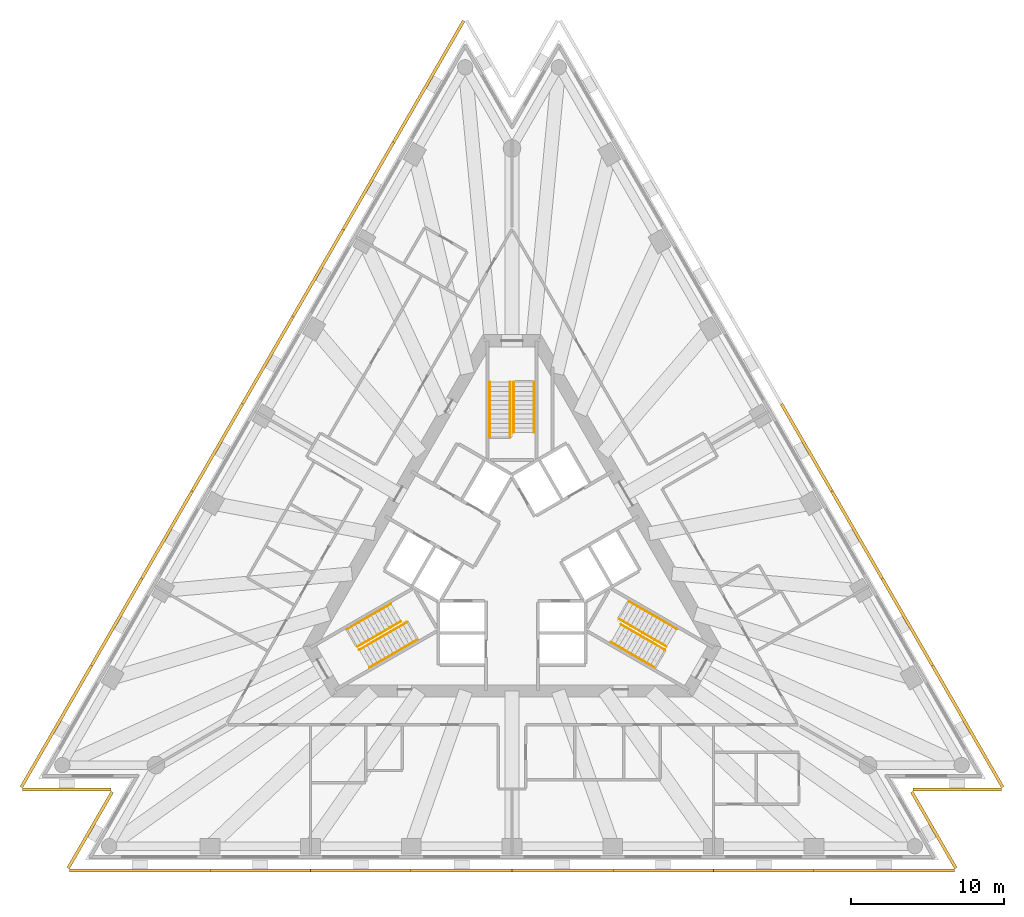
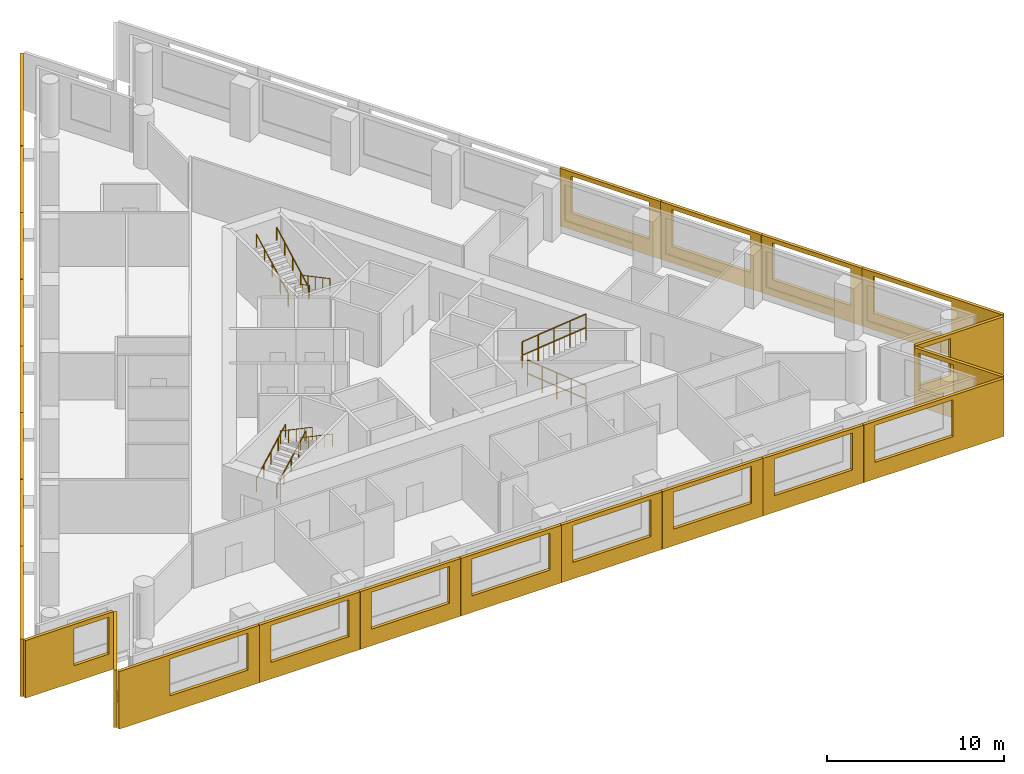
# One storey, part 9 of 10: 24 shading devices, 12 railings, 3 elements without a shape of their own.
"""IFC4 building model written with IfcOpenShell, lengths in metres."""

from ifc_helpers import new_model, si_unit, direction, frame, origin, origin_2d, place, context, subcontext, project, spatial, polyline, circle, outline, extrude, material, layer, layer_set, type_object, element, aggregate, save


model = new_model("IFC4")

# Units and contexts
model_context = context("Model", 3, precision=1e-05, world=origin(), true_north=direction((0.0, 1.0)))
body_context = subcontext(model_context, "Body", "Model", "MODEL_VIEW")
ifc_project = project(units=[si_unit("LENGTHUNIT", "METRE"), si_unit("AREAUNIT", "SQUARE_METRE"), si_unit("VOLUMEUNIT", "CUBIC_METRE"), si_unit("PLANEANGLEUNIT", "RADIAN"), si_unit("MASSUNIT", "GRAM", prefix="KILO")], contexts=[model_context])

# Site, building, storey
site_placement = place(None, origin())
site = spatial("IfcSite", under=ifc_project, at=site_placement, CompositionType="ELEMENT")
building_placement = place(site_placement, origin())
building = spatial("IfcBuilding", under=site, at=building_placement, Name="Triada Interchange Tower", CompositionType="ELEMENT")
storey_placement = place(building_placement, frame((0.0, 0.0, 152.300048828125)))
storey = spatial("IfcBuildingStorey", under=building, at=storey_placement, Name="L35", CompositionType="ELEMENT", Elevation=152.300048828125)

# Shading devices
ifc_material_1 = material(Name="Concrete C50/60 precast", Category="concrete")
ifc_layer_1 = layer(ifc_material_1, 0.02001953125, Name="Exposed aggregate face")
ifc_layer_2 = layer(ifc_material_1, 0.179931640625, Name="Precast concrete screen")
ifc_layer_set = layer_set([ifc_layer_1, ifc_layer_2], Name="Outer skin screen panel 3980")
shading_device_type = type_object("IfcShadingDeviceType", Name="Outer skin screen panel 3980", PredefinedType="SHUTTER", material=ifc_layer_set)
shading_device_1_placement = place(storey_placement, frame((-3.068115234375, 35.178955078125, -0.2900390625), z_axis=(0.0, 0.0, 1.0), x_axis=(-0.499993049377, -0.866029416691, 0.0)))
element("IfcShadingDevice", 1, at=shading_device_1_placement, inside=storey, type_object=shading_device_type, Name="Outer skin screen panel L35 01", PredefinedType="SHUTTER", context=body_context, shape_type="SweptSolid", body=[
    extrude(outline(polyline([(0.0, 0.0), (9.163818359375, 0.0), (9.163818359375, 3.97998046875), (0.0, 3.97998046875), (0.0, 0.0)]), holes=[polyline([(3.33056640625, 1.139892578125), (3.33056640625, 3.68994140625), (8.4306640625, 3.68994140625), (8.4306640625, 1.139892578125), (3.33056640625, 1.139892578125)])]), frame((0.0, 0.0, 0.0), z_axis=(0.0, -1.0, 0.0), x_axis=(1.0, 0.0, 0.0)), (0.0, 0.0, 1.0), 0.199951171875),
])
shading_device_2_placement = place(storey_placement, frame((-7.659912109375, 27.22607421875, -0.2900390625), z_axis=(0.0, 0.0, 1.0), x_axis=(-0.499977771575, -0.866038236991, 0.0)))
element("IfcShadingDevice", 2, at=shading_device_2_placement, inside=storey, type_object=shading_device_type, Name="Outer skin screen panel L35 02", PredefinedType="SHUTTER", context=body_context, shape_type="SweptSolid", body=[
    extrude(outline(polyline([(0.0, 0.0), (6.566650390625, 0.0), (6.566650390625, 3.97998046875), (0.0, 3.97998046875), (0.0, 0.0)]), holes=[polyline([(0.732421875, 1.139892578125), (0.732421875, 3.68994140625), (5.83251953125, 3.68994140625), (5.83251953125, 1.139892578125), (0.732421875, 1.139892578125)])]), frame((0.0, 0.0, 0.0), z_axis=(0.0, -1.0, 0.0), x_axis=(1.0, 0.0, 0.0)), (0.0, 0.0, 1.0), 0.199951171875),
])
shading_device_3_placement = place(storey_placement, frame((-10.952880859375, 21.52197265625, -0.2900390625), z_axis=(0.0, 0.0, 1.0), x_axis=(-0.499977771575, -0.866038236991, 0.0)))
element("IfcShadingDevice", 3, at=shading_device_3_placement, inside=storey, type_object=shading_device_type, Name="Outer skin screen panel L35 03", PredefinedType="SHUTTER", context=body_context, shape_type="SweptSolid", body=[
    extrude(outline(polyline([(0.0, 0.0), (6.566650390625, 0.0), (6.566650390625, 3.97998046875), (0.0, 3.97998046875), (0.0, 0.0)]), holes=[polyline([(0.7333984375, 1.139892578125), (0.7333984375, 3.68994140625), (5.83349609375, 3.68994140625), (5.83349609375, 1.139892578125), (0.7333984375, 1.139892578125)])]), frame((0.0, 0.0, 0.0), z_axis=(0.0, -1.0, 0.0), x_axis=(1.0, 0.0, 0.0)), (0.0, 0.0, 1.0), 0.199951171875),
])
for number, where, z_axis, x_axis, name in (
    (4, (-14.24609375, 15.818115234375, -0.2900390625), (0.0, 0.0, 1.0), (-0.500014285048, -0.866017156151, 0.0), "Outer skin screen panel L35 04"),
    (5, (-17.5390625, 10.114013671875, -0.2900390625), (0.0, 0.0, 1.0), (-0.500014285048, -0.866017156151, 0.0), "Outer skin screen panel L35 05"),
):
    element("IfcShadingDevice", number, at=place(storey_placement, frame(where, z_axis=z_axis, x_axis=x_axis)), inside=storey, type_object=shading_device_type, Name=name, PredefinedType="SHUTTER", context=body_context, shape_type="SweptSolid", body=[
        extrude(outline(polyline([(0.0, 0.0), (6.565673828125, 0.0), (6.565673828125, 3.97998046875), (0.0, 3.97998046875), (0.0, 0.0)]), holes=[polyline([(0.7333984375, 1.139892578125), (0.7333984375, 3.68994140625), (5.83349609375, 3.68994140625), (5.83349609375, 1.139892578125), (0.7333984375, 1.139892578125)])]), frame((0.0, 0.0, 0.0), z_axis=(0.0, -1.0, 0.0), x_axis=(1.0, 0.0, 0.0)), (0.0, 0.0, 1.0), 0.199951171875),
    ])
shading_device_4_placement = place(storey_placement, frame((-20.83203125, 4.410888671875, -0.2900390625), z_axis=(0.0, 0.0, 1.0), x_axis=(-0.499854425527, -0.866109434933, 0.0)))
element("IfcShadingDevice", 6, at=shading_device_4_placement, inside=storey, type_object=shading_device_type, Name="Outer skin screen panel L35 06", PredefinedType="SHUTTER", context=body_context, shape_type="SweptSolid", body=[
    extrude(outline(polyline([(0.0, 0.0), (6.56591796875, 0.0), (6.56591796875, 3.97998046875), (0.0, 3.97998046875), (0.0, 0.0)]), holes=[polyline([(0.7333984375, 1.139892578125), (0.7333984375, 3.68994140625), (5.83349609375, 3.68994140625), (5.83349609375, 1.139892578125), (0.7333984375, 1.139892578125)])]), frame((0.0, 0.0, 0.0), z_axis=(0.0, -1.0, 0.0), x_axis=(1.0, 0.0, 0.0)), (0.0, 0.0, 1.0), 0.199951171875),
])
shading_device_5_placement = place(storey_placement, frame((-24.1240234375, -1.29296875, -0.2900390625), z_axis=(0.0, 0.0, 1.0), x_axis=(-0.499949886023, -0.866054335169, 0.0)))
element("IfcShadingDevice", 7, at=shading_device_5_placement, inside=storey, type_object=shading_device_type, Name="Outer skin screen panel L35 07", PredefinedType="SHUTTER", context=body_context, shape_type="SweptSolid", body=[
    extrude(outline(polyline([(0.0, 0.0), (6.566650390625, 0.0), (6.566650390625, 3.97998046875), (0.0, 3.97998046875), (0.0, 0.0)]), holes=[polyline([(0.7333984375, 1.139892578125), (0.7333984375, 3.68994140625), (5.833251953125, 3.68994140625), (5.833251953125, 1.139892578125), (0.7333984375, 1.139892578125)])]), frame((0.0, 0.0, 0.0), z_axis=(0.0, -1.0, 0.0), x_axis=(1.0, 0.0, 0.0)), (0.0, 0.0, 1.0), 0.199951171875),
])
shading_device_6_placement = place(storey_placement, frame((-27.4169921875, -6.9970703125, -0.2900390625), z_axis=(0.0, 0.0, 1.0), x_axis=(-0.500013030768, -0.866017880336, 0.0)))
element("IfcShadingDevice", 8, at=shading_device_6_placement, inside=storey, type_object=shading_device_type, Name="Outer skin screen panel L35 08", PredefinedType="SHUTTER", context=body_context, shape_type="SweptSolid", body=[
    extrude(outline(polyline([(0.0, 0.0), (9.163818359375, 0.0), (9.163818359375, 3.97998046875), (0.0, 3.97998046875), (0.0, 0.0)]), holes=[polyline([(0.7333984375, 1.139892578125), (0.7333984375, 3.68994140625), (5.833251953125, 3.68994140625), (5.833251953125, 1.139892578125), (0.7333984375, 1.139892578125)])]), frame((0.0, 0.0, 0.0), z_axis=(0.0, -1.0, 0.0), x_axis=(1.0, 0.0, 0.0)), (0.0, 0.0, 1.0), 0.199951171875),
])
shading_device_7_placement = place(storey_placement, frame((-31.993896484375, -14.94189453125, -0.2900390625), z_axis=(0.0, 0.0, 1.0), x_axis=(1.0, 0.0, 0.0)))
element("IfcShadingDevice", 9, at=shading_device_7_placement, inside=storey, type_object=shading_device_type, Name="Outer skin screen panel L35 09", PredefinedType="SHUTTER", context=body_context, shape_type="SweptSolid", body=[
    extrude(outline(polyline([(0.0, 0.0), (5.7578125, 0.0), (5.7578125, 3.97998046875), (0.0, 3.97998046875), (0.0, 0.0)]), holes=[polyline([(3.175048828125, 1.139892578125), (3.175048828125, 3.68994140625), (5.4580078125, 3.68994140625), (5.4580078125, 1.139892578125), (3.175048828125, 1.139892578125)])]), frame((0.0, 0.0, 0.0), z_axis=(0.0, -1.0, 0.0), x_axis=(1.0, 0.0, 0.0)), (0.0, 0.0, 1.0), 0.199951171875),
])
shading_device_8_placement = place(storey_placement, frame((-26.05810546875, -15.2509765625, -0.2900390625), z_axis=(0.0, 0.0, 1.0), x_axis=(-0.500024661345, -0.866011165082, 0.0)))
element("IfcShadingDevice", 10, at=shading_device_8_placement, inside=storey, type_object=shading_device_type, Name="Outer skin screen panel L35 10", PredefinedType="SHUTTER", context=body_context, shape_type="SweptSolid", body=[
    extrude(outline(polyline([(0.0, 0.0), (5.757568359375, 0.0), (5.757568359375, 3.97998046875), (0.0, 3.97998046875), (0.0, 0.0)]), holes=[polyline([(0.300048828125, 1.139892578125), (0.300048828125, 3.68994140625), (2.2578125, 3.68994140625), (2.2578125, 1.139892578125), (0.300048828125, 1.139892578125)])]), frame((0.0, 0.0, 0.0), z_axis=(0.0, -1.0, 0.0), x_axis=(1.0, 0.0, 0.0)), (0.0, 0.0, 1.0), 0.199951171875),
])
shading_device_9_placement = place(storey_placement, frame((-28.931884765625, -20.24609375, -0.2900390625), z_axis=(0.0, 0.0, 1.0), x_axis=(1.0, 0.0, 0.0)))
element("IfcShadingDevice", 11, at=shading_device_9_placement, inside=storey, type_object=shading_device_type, Name="Outer skin screen panel L35 11", PredefinedType="SHUTTER", context=body_context, shape_type="SweptSolid", body=[
    extrude(outline(polyline([(0.0, 0.0), (9.163818359375, 0.0), (9.163818359375, 3.97998046875), (0.0, 3.97998046875), (0.0, 0.0)]), holes=[polyline([(3.3310546875, 1.139892578125), (3.3310546875, 3.68994140625), (8.430908203125, 3.68994140625), (8.430908203125, 1.139892578125), (3.3310546875, 1.139892578125)])]), frame((0.0, 0.0, 0.0), z_axis=(0.0, -1.0, 0.0), x_axis=(1.0, 0.0, 0.0)), (0.0, 0.0, 1.0), 0.199951171875),
])
for number, where, z_axis, x_axis, name in (
    (12, (-19.748046875, -20.24609375, -0.2900390625), (0.0, 0.0, 1.0), (1.0, 0.0, 0.0), "Outer skin screen panel L35 12"),
    (13, (-13.162109375, -20.24609375, -0.2900390625), (0.0, 0.0, 1.0), (1.0, 0.0, 0.0), "Outer skin screen panel L35 13"),
):
    element("IfcShadingDevice", number, at=place(storey_placement, frame(where, z_axis=z_axis, x_axis=x_axis)), inside=storey, type_object=shading_device_type, Name=name, PredefinedType="SHUTTER", context=body_context, shape_type="SweptSolid", body=[
        extrude(outline(polyline([(0.0, 0.0), (6.566162109375, 0.0), (6.566162109375, 3.97998046875), (0.0, 3.97998046875), (0.0, 0.0)]), holes=[polyline([(0.73291015625, 1.139892578125), (0.73291015625, 3.68994140625), (5.8330078125, 3.68994140625), (5.8330078125, 1.139892578125), (0.73291015625, 1.139892578125)])]), frame((0.0, 0.0, 0.0), z_axis=(0.0, -1.0, 0.0), x_axis=(1.0, 0.0, 0.0)), (0.0, 0.0, 1.0), 0.199951171875),
    ])
for number, where, z_axis, x_axis, name in (
    (14, (-6.575927734375, -20.24609375, -0.2900390625), (0.0, 0.0, 1.0), (1.0, 0.0, 0.0), "Outer skin screen panel L35 14"),
    (15, (0.010009765625, -20.24609375, -0.2900390625), (0.0, 0.0, 1.0), (1.0, 0.0, 0.0), "Outer skin screen panel L35 15"),
):
    element("IfcShadingDevice", number, at=place(storey_placement, frame(where, z_axis=z_axis, x_axis=x_axis)), inside=storey, type_object=shading_device_type, Name=name, PredefinedType="SHUTTER", context=body_context, shape_type="SweptSolid", body=[
        extrude(outline(polyline([(0.0, 0.0), (6.56591796875, 0.0), (6.56591796875, 3.97998046875), (0.0, 3.97998046875), (0.0, 0.0)]), holes=[polyline([(0.73291015625, 1.139892578125), (0.73291015625, 3.68994140625), (5.8330078125, 3.68994140625), (5.8330078125, 1.139892578125), (0.73291015625, 1.139892578125)])]), frame((0.0, 0.0, 0.0), z_axis=(0.0, -1.0, 0.0), x_axis=(1.0, 0.0, 0.0)), (0.0, 0.0, 1.0), 0.199951171875),
    ])
for number, where, z_axis, x_axis, name in (
    (16, (6.595947265625, -20.24609375, -0.2900390625), (0.0, 0.0, 1.0), (1.0, 0.0, 0.0), "Outer skin screen panel L35 16"),
    (17, (13.181884765625, -20.24609375, -0.2900390625), (0.0, 0.0, 1.0), (1.0, 0.0, 0.0), "Outer skin screen panel L35 17"),
):
    element("IfcShadingDevice", number, at=place(storey_placement, frame(where, z_axis=z_axis, x_axis=x_axis)), inside=storey, type_object=shading_device_type, Name=name, PredefinedType="SHUTTER", context=body_context, shape_type="SweptSolid", body=[
        extrude(outline(polyline([(0.0, 0.0), (6.566162109375, 0.0), (6.566162109375, 3.97998046875), (0.0, 3.97998046875), (0.0, 0.0)]), holes=[polyline([(0.73291015625, 1.139892578125), (0.73291015625, 3.68994140625), (5.8330078125, 3.68994140625), (5.8330078125, 1.139892578125), (0.73291015625, 1.139892578125)])]), frame((0.0, 0.0, 0.0), z_axis=(0.0, -1.0, 0.0), x_axis=(1.0, 0.0, 0.0)), (0.0, 0.0, 1.0), 0.199951171875),
    ])
shading_device_10_placement = place(storey_placement, frame((19.76806640625, -20.24609375, -0.2900390625), z_axis=(0.0, 0.0, 1.0), x_axis=(1.0, 0.0, 0.0)))
element("IfcShadingDevice", 18, at=shading_device_10_placement, inside=storey, type_object=shading_device_type, Name="Outer skin screen panel L35 18", PredefinedType="SHUTTER", context=body_context, shape_type="SweptSolid", body=[
    extrude(outline(polyline([(0.0, 0.0), (9.163818359375, 0.0), (9.163818359375, 3.97998046875), (0.0, 3.97998046875), (0.0, 0.0)]), holes=[polyline([(0.73291015625, 1.139892578125), (0.73291015625, 3.68994140625), (5.8330078125, 3.68994140625), (5.8330078125, 1.139892578125), (0.73291015625, 1.139892578125)])]), frame((0.0, 0.0, 0.0), z_axis=(0.0, -1.0, 0.0), x_axis=(1.0, 0.0, 0.0)), (0.0, 0.0, 1.0), 0.199951171875),
])
shading_device_11_placement = place(storey_placement, frame((28.93701171875, -20.237060546875, -0.2900390625), z_axis=(0.0, 0.0, 1.0), x_axis=(-0.500024661345, 0.866011165082, 0.0)))
element("IfcShadingDevice", 19, at=shading_device_11_placement, inside=storey, type_object=shading_device_type, Name="Outer skin screen panel L35 19", PredefinedType="SHUTTER", context=body_context, shape_type="SweptSolid", body=[
    extrude(outline(polyline([(0.0, 0.0), (5.757568359375, 0.0), (5.757568359375, 3.97998046875), (0.0, 3.97998046875), (0.0, 0.0)]), holes=[polyline([(3.17529296875, 1.139892578125), (3.17529296875, 3.68994140625), (5.458251953125, 3.68994140625), (5.458251953125, 1.139892578125), (3.17529296875, 1.139892578125)])]), frame((0.0, 0.0, 0.0), z_axis=(0.0, -1.0, 0.0), x_axis=(1.0, 0.0, 0.0)), (0.0, 0.0, 1.0), 0.199951171875),
])
shading_device_12_placement = place(storey_placement, frame((26.236083984375, -14.94189453125, -0.2900390625), z_axis=(0.0, 0.0, 1.0), x_axis=(1.0, 0.0, 0.0)))
element("IfcShadingDevice", 20, at=shading_device_12_placement, inside=storey, type_object=shading_device_type, Name="Outer skin screen panel L35 20", PredefinedType="SHUTTER", context=body_context, shape_type="SweptSolid", body=[
    extrude(outline(polyline([(0.0, 0.0), (5.7578125, 0.0), (5.7578125, 3.97998046875), (0.0, 3.97998046875), (0.0, 0.0)]), holes=[polyline([(0.300048828125, 1.139892578125), (0.300048828125, 3.68994140625), (2.258056640625, 3.68994140625), (2.258056640625, 1.139892578125), (0.300048828125, 1.139892578125)])]), frame((0.0, 0.0, 0.0), z_axis=(0.0, -1.0, 0.0), x_axis=(1.0, 0.0, 0.0)), (0.0, 0.0, 1.0), 0.199951171875),
])
shading_device_13_placement = place(storey_placement, frame((31.9990234375, -14.93310546875, -0.2900390625), z_axis=(0.0, 0.0, 1.0), x_axis=(-0.500013030768, 0.866017880336, 0.0)))
element("IfcShadingDevice", 21, at=shading_device_13_placement, inside=storey, type_object=shading_device_type, Name="Outer skin screen panel L35 21", PredefinedType="SHUTTER", context=body_context, shape_type="SweptSolid", body=[
    extrude(outline(polyline([(0.0, 0.0), (9.163818359375, 0.0), (9.163818359375, 3.97998046875), (0.0, 3.97998046875), (0.0, 0.0)]), holes=[polyline([(3.331298828125, 1.139892578125), (3.331298828125, 3.68994140625), (8.431396484375, 3.68994140625), (8.431396484375, 1.139892578125), (3.331298828125, 1.139892578125)])]), frame((0.0, 0.0, 0.0), z_axis=(0.0, -1.0, 0.0), x_axis=(1.0, 0.0, 0.0)), (0.0, 0.0, 1.0), 0.199951171875),
])
shading_device_14_placement = place(storey_placement, frame((27.406982421875, -6.97998046875, -0.2900390625), z_axis=(0.0, 0.0, 1.0), x_axis=(-0.499949886023, 0.866054335169, 0.0)))
element("IfcShadingDevice", 22, at=shading_device_14_placement, inside=storey, type_object=shading_device_type, Name="Outer skin screen panel L35 22", PredefinedType="SHUTTER", context=body_context, shape_type="SweptSolid", body=[
    extrude(outline(polyline([(0.0, 0.0), (6.566650390625, 0.0), (6.566650390625, 3.97998046875), (0.0, 3.97998046875), (0.0, 0.0)]), holes=[polyline([(0.733154296875, 1.139892578125), (0.733154296875, 3.68994140625), (5.833251953125, 3.68994140625), (5.833251953125, 1.139892578125), (0.733154296875, 1.139892578125)])]), frame((0.0, 0.0, 0.0), z_axis=(0.0, -1.0, 0.0), x_axis=(1.0, 0.0, 0.0)), (0.0, 0.0, 1.0), 0.199951171875),
])
shading_device_15_placement = place(storey_placement, frame((24.114013671875, -1.27587890625, -0.2900390625), z_axis=(0.0, 0.0, 1.0), x_axis=(-0.499854425527, 0.866109434933, 0.0)))
element("IfcShadingDevice", 23, at=shading_device_15_placement, inside=storey, type_object=shading_device_type, Name="Outer skin screen panel L35 23", PredefinedType="SHUTTER", context=body_context, shape_type="SweptSolid", body=[
    extrude(outline(polyline([(0.0, 0.0), (6.56591796875, 0.0), (6.56591796875, 3.97998046875), (0.0, 3.97998046875), (0.0, 0.0)]), holes=[polyline([(0.733154296875, 1.139892578125), (0.733154296875, 3.68994140625), (5.833251953125, 3.68994140625), (5.833251953125, 1.139892578125), (0.733154296875, 1.139892578125)])]), frame((0.0, 0.0, 0.0), z_axis=(0.0, -1.0, 0.0), x_axis=(1.0, 0.0, 0.0)), (0.0, 0.0, 1.0), 0.199951171875),
])
shading_device_16_placement = place(storey_placement, frame((20.822021484375, 4.427978515625, -0.2900390625), z_axis=(0.0, 0.0, 1.0), x_axis=(-0.500014285048, 0.866017156151, 0.0)))
element("IfcShadingDevice", 24, at=shading_device_16_placement, inside=storey, type_object=shading_device_type, Name="Outer skin screen panel L35 24", PredefinedType="SHUTTER", context=body_context, shape_type="SweptSolid", body=[
    extrude(outline(polyline([(0.0, 0.0), (6.565673828125, 0.0), (6.565673828125, 3.97998046875), (0.0, 3.97998046875), (0.0, 0.0)]), holes=[polyline([(0.733154296875, 1.139892578125), (0.733154296875, 3.68994140625), (5.833251953125, 3.68994140625), (5.833251953125, 1.139892578125), (0.733154296875, 1.139892578125)])]), frame((0.0, 0.0, 0.0), z_axis=(0.0, -1.0, 0.0), x_axis=(1.0, 0.0, 0.0)), (0.0, 0.0, 1.0), 0.199951171875),
])

# Stair, railings
ifc_material_2 = material(Name="Concrete C35/45", Category="concrete")
stair_type = type_object("IfcStairType", Name="HALF TURN STAIR 1400", PredefinedType="HALF_TURN_STAIR", material=ifc_material_2)
stair_1_placement = place(storey_placement, origin())
stair_1 = element("IfcStair", 25, at=stair_1_placement, inside=storey, type_object=stair_type, Name="Exit stair S35-1", PredefinedType="HALF_TURN_STAIR")
ifc_material_3 = material(Name="Stainless steel 1.4301", Category="steel")
railing_type = type_object("IfcRailingType", Name="STAIR HANDRAIL 900", PredefinedType="HANDRAIL", material=ifc_material_3)
railing_1_placement = place(storey_placement, frame((1.449951171875, 11.60009765625, 0.159912109375)))
railing_1 = element("IfcRailing", 26, at=railing_1_placement, type_object=railing_type, Name="Handrail S35-1 1W", PredefinedType="HANDRAIL", context=body_context, shape_type="SweptSolid", body=[
    extrude(circle(Radius=0.02392578125, at=origin_2d()), frame((0.0, 0.0, 0.8759765625), z_axis=(0.0, -0.882354748157, 0.47058484719), x_axis=(1.0, 0.0, 0.0)), (0.0, 0.0, 1.0), 3.739990234375),
    extrude(circle(Radius=0.02099609375, at=origin_2d()), origin(), (0.0, 0.0, 1.0), 0.851806640625),
    extrude(circle(Radius=0.02099609375, at=origin_2d()), frame((0.0, -0.824951171875, 0.43994140625)), (0.0, 0.0, 1.0), 0.851806640625),
    extrude(circle(Radius=0.02099609375, at=origin_2d()), frame((0.0, -1.64990234375, 0.8798828125)), (0.0, 0.0, 1.0), 0.851806640625),
    extrude(circle(Radius=0.02099609375, at=origin_2d()), frame((0.0, -2.47509765625, 1.320068359375)), (0.0, 0.0, 1.0), 0.851806640625),
    extrude(circle(Radius=0.02099609375, at=origin_2d()), frame((0.0, -3.300048828125, 1.760009765625)), (0.0, 0.0, 1.0), 0.851806640625),
])
railing_2_placement = place(storey_placement, frame((0.1201171875, 11.60009765625, 0.159912109375)))
railing_2 = element("IfcRailing", 27, at=railing_2_placement, type_object=railing_type, Name="Handrail S35-1 1C", PredefinedType="HANDRAIL", context=body_context, shape_type="SweptSolid", body=[
    extrude(circle(Radius=0.02392578125, at=origin_2d()), frame((0.0, 0.0, 0.8759765625), z_axis=(0.0, -0.882354748157, 0.47058484719), x_axis=(1.0, 0.0, 0.0)), (0.0, 0.0, 1.0), 3.739990234375),
    extrude(circle(Radius=0.02099609375, at=origin_2d()), origin(), (0.0, 0.0, 1.0), 0.851806640625),
    extrude(circle(Radius=0.02099609375, at=origin_2d()), frame((0.0, -0.824951171875, 0.43994140625)), (0.0, 0.0, 1.0), 0.851806640625),
    extrude(circle(Radius=0.02099609375, at=origin_2d()), frame((0.0, -1.64990234375, 0.8798828125)), (0.0, 0.0, 1.0), 0.851806640625),
    extrude(circle(Radius=0.02099609375, at=origin_2d()), frame((0.0, -2.47509765625, 1.320068359375)), (0.0, 0.0, 1.0), 0.851806640625),
    extrude(circle(Radius=0.02099609375, at=origin_2d()), frame((0.0, -3.300048828125, 1.760009765625)), (0.0, 0.0, 1.0), 0.851806640625),
])
railing_3_placement = place(storey_placement, frame((-1.449951171875, 8.0, 2.079833984375)))
railing_3 = element("IfcRailing", 28, at=railing_3_placement, type_object=railing_type, Name="Handrail S35-1 2W", PredefinedType="HANDRAIL", context=body_context, shape_type="SweptSolid", body=[
    extrude(circle(Radius=0.02392578125, at=origin_2d()), frame((0.0, 0.0, 0.8759765625), z_axis=(0.0, 0.882341346394, 0.470609974867), x_axis=(-1.0, 0.0, 0.0)), (0.0, 0.0, 1.0), 4.080078125),
    extrude(circle(Radius=0.02099609375, at=origin_2d()), origin(), (0.0, 0.0, 1.0), 0.851806640625),
    extrude(circle(Radius=0.02099609375, at=origin_2d()), frame((0.0, 0.89990234375, 0.47998046875)), (0.0, 0.0, 1.0), 0.851806640625),
    extrude(circle(Radius=0.02099609375, at=origin_2d()), frame((0.0, 1.800048828125, 0.9599609375)), (0.0, 0.0, 1.0), 0.851806640625),
    extrude(circle(Radius=0.02099609375, at=origin_2d()), frame((0.0, 2.7001953125, 1.440185546875)), (0.0, 0.0, 1.0), 0.851806640625),
    extrude(circle(Radius=0.02099609375, at=origin_2d()), frame((0.0, 3.60009765625, 1.920166015625)), (0.0, 0.0, 1.0), 0.851806640625),
])
railing_4_placement = place(storey_placement, frame((-0.1201171875, 8.0, 2.079833984375)))
railing_4 = element("IfcRailing", 29, at=railing_4_placement, type_object=railing_type, Name="Handrail S35-1 2C", PredefinedType="HANDRAIL", context=body_context, shape_type="SweptSolid", body=[
    extrude(circle(Radius=0.02392578125, at=origin_2d()), frame((0.0, 0.0, 0.8759765625), z_axis=(0.0, 0.882341346394, 0.470609974867), x_axis=(-1.0, 0.0, 0.0)), (0.0, 0.0, 1.0), 4.080078125),
    extrude(circle(Radius=0.02099609375, at=origin_2d()), origin(), (0.0, 0.0, 1.0), 0.851806640625),
    extrude(circle(Radius=0.02099609375, at=origin_2d()), frame((0.0, 0.89990234375, 0.47998046875)), (0.0, 0.0, 1.0), 0.851806640625),
    extrude(circle(Radius=0.02099609375, at=origin_2d()), frame((0.0, 1.800048828125, 0.9599609375)), (0.0, 0.0, 1.0), 0.851806640625),
    extrude(circle(Radius=0.02099609375, at=origin_2d()), frame((0.0, 2.7001953125, 1.440185546875)), (0.0, 0.0, 1.0), 0.851806640625),
    extrude(circle(Radius=0.02099609375, at=origin_2d()), frame((0.0, 3.60009765625, 1.920166015625)), (0.0, 0.0, 1.0), 0.851806640625),
])
aggregate(stair_1, [railing_1, railing_2, railing_3, railing_4])

stair_2_placement = place(storey_placement, origin())
stair_2 = element("IfcStair", 30, at=stair_2_placement, inside=storey, type_object=stair_type, Name="Exit stair S35-2", PredefinedType="HALF_TURN_STAIR")
railing_5_placement = place(storey_placement, frame((-10.77099609375, -4.5439453125, 0.159912109375)))
railing_5 = element("IfcRailing", 31, at=railing_5_placement, type_object=railing_type, Name="Handrail S35-2 1W", PredefinedType="HANDRAIL", context=body_context, shape_type="SweptSolid", body=[
    extrude(circle(Radius=0.02392578125, at=origin_2d()), frame((0.0, 0.0, 0.8759765625), z_axis=(0.764150854273, 0.441152526326, 0.470593158077), x_axis=(-0.499974350878, 0.866040211805, 0.0)), (0.0, 0.0, 1.0), 3.739990234375),
    extrude(circle(Radius=0.02099609375, at=origin_2d()), origin(), (0.0, 0.0, 1.0), 0.851806640625),
    extrude(circle(Radius=0.02099609375, at=origin_2d()), frame((0.71435546875, 0.41259765625, 0.43994140625)), (0.0, 0.0, 1.0), 0.851806640625),
    extrude(circle(Radius=0.02099609375, at=origin_2d()), frame((1.428955078125, 0.824951171875, 0.8798828125)), (0.0, 0.0, 1.0), 0.851806640625),
    extrude(circle(Radius=0.02099609375, at=origin_2d()), frame((2.1435546875, 1.2373046875, 1.320068359375)), (0.0, 0.0, 1.0), 0.851806640625),
    extrude(circle(Radius=0.02099609375, at=origin_2d()), frame((2.85791015625, 1.64990234375, 1.760009765625)), (0.0, 0.0, 1.0), 0.851806640625),
])
railing_6_placement = place(storey_placement, frame((-10.10595703125, -5.696044921875, 0.159912109375)))
railing_6 = element("IfcRailing", 32, at=railing_6_placement, type_object=railing_type, Name="Handrail S35-2 1C", PredefinedType="HANDRAIL", context=body_context, shape_type="SweptSolid", body=[
    extrude(circle(Radius=0.02392578125, at=origin_2d()), frame((0.0, 0.0, 0.8759765625), z_axis=(0.76412884773, 0.441205098395, 0.470579605611), x_axis=(-0.50002983664, 0.866008176907, 0.0)), (0.0, 0.0, 1.0), 3.739990234375),
    extrude(circle(Radius=0.02099609375, at=origin_2d()), origin(), (0.0, 0.0, 1.0), 0.851806640625),
    extrude(circle(Radius=0.02099609375, at=origin_2d()), frame((0.71435546875, 0.41259765625, 0.43994140625)), (0.0, 0.0, 1.0), 0.851806640625),
    extrude(circle(Radius=0.02099609375, at=origin_2d()), frame((1.428955078125, 0.8251953125, 0.8798828125)), (0.0, 0.0, 1.0), 0.851806640625),
    extrude(circle(Radius=0.02099609375, at=origin_2d()), frame((2.1435546875, 1.237548828125, 1.320068359375)), (0.0, 0.0, 1.0), 0.851806640625),
    extrude(circle(Radius=0.02099609375, at=origin_2d()), frame((2.85791015625, 1.650146484375, 1.760009765625)), (0.0, 0.0, 1.0), 0.851806640625),
])
railing_7_placement = place(storey_placement, frame((-6.202880859375, -5.256103515625, 2.079833984375)))
railing_7 = element("IfcRailing", 33, at=railing_7_placement, type_object=railing_type, Name="Handrail S35-2 2W", PredefinedType="HANDRAIL", context=body_context, shape_type="SweptSolid", body=[
    extrude(circle(Radius=0.02392578125, at=origin_2d()), frame((0.0, 0.0, 0.8759765625), z_axis=(-0.764189758314, -0.441090424232, 0.470588196769), x_axis=(0.499902469156, -0.866081705922, 0.0)), (0.0, 0.0, 1.0), 4.080322265625),
    extrude(circle(Radius=0.02099609375, at=origin_2d()), origin(), (0.0, 0.0, 1.0), 0.851806640625),
    extrude(circle(Radius=0.02099609375, at=origin_2d()), frame((-0.779541015625, -0.449951171875, 0.47998046875)), (0.0, 0.0, 1.0), 0.851806640625),
    extrude(circle(Radius=0.02099609375, at=origin_2d()), frame((-1.55908203125, -0.89990234375, 0.9599609375)), (0.0, 0.0, 1.0), 0.851806640625),
    extrude(circle(Radius=0.02099609375, at=origin_2d()), frame((-2.338623046875, -1.349853515625, 1.440185546875)), (0.0, 0.0, 1.0), 0.851806640625),
    extrude(circle(Radius=0.02099609375, at=origin_2d()), frame((-3.1181640625, -1.7998046875, 1.920166015625)), (0.0, 0.0, 1.0), 0.851806640625),
])
railing_8_placement = place(storey_placement, frame((-6.867919921875, -4.10400390625, 2.079833984375)))
railing_8 = element("IfcRailing", 34, at=railing_8_placement, type_object=railing_type, Name="Handrail S35-2 2C", PredefinedType="HANDRAIL", context=body_context, shape_type="SweptSolid", body=[
    extrude(circle(Radius=0.02392578125, at=origin_2d()), frame((0.0, 0.0, 0.8759765625), z_axis=(-0.764169589359, -0.441138614339, 0.470575776723), x_axis=(0.49995333141, -0.866052346231, 0.0)), (0.0, 0.0, 1.0), 4.08056640625),
    extrude(circle(Radius=0.02099609375, at=origin_2d()), origin(), (0.0, 0.0, 1.0), 0.851806640625),
    extrude(circle(Radius=0.02099609375, at=origin_2d()), frame((-0.779541015625, -0.449951171875, 0.47998046875)), (0.0, 0.0, 1.0), 0.851806640625),
    extrude(circle(Radius=0.02099609375, at=origin_2d()), frame((-1.55908203125, -0.89990234375, 0.9599609375)), (0.0, 0.0, 1.0), 0.851806640625),
    extrude(circle(Radius=0.02099609375, at=origin_2d()), frame((-2.338623046875, -1.35009765625, 1.440185546875)), (0.0, 0.0, 1.0), 0.851806640625),
    extrude(circle(Radius=0.02099609375, at=origin_2d()), frame((-3.1181640625, -1.800048828125, 1.920166015625)), (0.0, 0.0, 1.0), 0.851806640625),
])
aggregate(stair_2, [railing_5, railing_6, railing_7, railing_8])

stair_3_placement = place(storey_placement, origin())
stair_3 = element("IfcStair", 35, at=stair_3_placement, inside=storey, type_object=stair_type, Name="Exit stair S35-3", PredefinedType="HALF_TURN_STAIR")
railing_9_placement = place(storey_placement, frame((9.321044921875, -7.055908203125, 0.159912109375)))
railing_9 = element("IfcRailing", 36, at=railing_9_placement, type_object=railing_type, Name="Handrail S35-3 1W", PredefinedType="HANDRAIL", context=body_context, shape_type="SweptSolid", body=[
    extrude(circle(Radius=0.02392578125, at=origin_2d()), frame((0.0, 0.0, 0.8759765625), z_axis=(-0.764178012919, 0.441130521168, 0.470569684388), x_axis=(-0.499942318283, -0.866058703778, 0.0)), (0.0, 0.0, 1.0), 3.740234375),
    extrude(circle(Radius=0.02099609375, at=origin_2d()), origin(), (0.0, 0.0, 1.0), 0.851806640625),
    extrude(circle(Radius=0.02099609375, at=origin_2d()), frame((-0.714599609375, 0.41259765625, 0.43994140625)), (0.0, 0.0, 1.0), 0.851806640625),
    extrude(circle(Radius=0.02099609375, at=origin_2d()), frame((-1.42919921875, 0.824951171875, 0.8798828125)), (0.0, 0.0, 1.0), 0.851806640625),
    extrude(circle(Radius=0.02099609375, at=origin_2d()), frame((-2.1435546875, 1.2373046875, 1.320068359375)), (0.0, 0.0, 1.0), 0.851806640625),
    extrude(circle(Radius=0.02099609375, at=origin_2d()), frame((-2.858154296875, 1.64990234375, 1.760009765625)), (0.0, 0.0, 1.0), 0.851806640625),
])
railing_10_placement = place(storey_placement, frame((9.986083984375, -5.904052734375, 0.159912109375)))
railing_10 = element("IfcRailing", 37, at=railing_10_placement, type_object=railing_type, Name="Handrail S35-3 1C", PredefinedType="HANDRAIL", context=body_context, shape_type="SweptSolid", body=[
    extrude(circle(Radius=0.02392578125, at=origin_2d()), frame((0.0, 0.0, 0.8759765625), z_axis=(-0.764156007789, 0.441183091881, 0.47055613395), x_axis=(-0.49999780286, -0.8660266723, 0.0)), (0.0, 0.0, 1.0), 3.740234375),
    extrude(circle(Radius=0.02099609375, at=origin_2d()), origin(), (0.0, 0.0, 1.0), 0.851806640625),
    extrude(circle(Radius=0.02099609375, at=origin_2d()), frame((-0.714599609375, 0.41259765625, 0.43994140625)), (0.0, 0.0, 1.0), 0.851806640625),
    extrude(circle(Radius=0.02099609375, at=origin_2d()), frame((-1.42919921875, 0.8251953125, 0.8798828125)), (0.0, 0.0, 1.0), 0.851806640625),
    extrude(circle(Radius=0.02099609375, at=origin_2d()), frame((-2.1435546875, 1.237548828125, 1.320068359375)), (0.0, 0.0, 1.0), 0.851806640625),
    extrude(circle(Radius=0.02099609375, at=origin_2d()), frame((-2.858154296875, 1.650146484375, 1.760009765625)), (0.0, 0.0, 1.0), 0.851806640625),
])
railing_11_placement = place(storey_placement, frame((7.653076171875, -2.743896484375, 2.079833984375)))
railing_11 = element("IfcRailing", 38, at=railing_11_placement, type_object=railing_type, Name="Handrail S35-3 2W", PredefinedType="HANDRAIL", context=body_context, shape_type="SweptSolid", body=[
    extrude(circle(Radius=0.02392578125, at=origin_2d()), frame((0.0, 0.0, 0.8759765625), z_axis=(0.76414469501, -0.441158784458, 0.470597292793), x_axis=(0.499982693035, 0.866035395735, 0.0)), (0.0, 0.0, 1.0), 4.080322265625),
    extrude(circle(Radius=0.02099609375, at=origin_2d()), origin(), (0.0, 0.0, 1.0), 0.851806640625),
    extrude(circle(Radius=0.02099609375, at=origin_2d()), frame((0.779541015625, -0.449951171875, 0.47998046875)), (0.0, 0.0, 1.0), 0.851806640625),
    extrude(circle(Radius=0.02099609375, at=origin_2d()), frame((1.55908203125, -0.89990234375, 0.9599609375)), (0.0, 0.0, 1.0), 0.851806640625),
    extrude(circle(Radius=0.02099609375, at=origin_2d()), frame((2.33837890625, -1.35009765625, 1.440185546875)), (0.0, 0.0, 1.0), 0.851806640625),
    extrude(circle(Radius=0.02099609375, at=origin_2d()), frame((3.117919921875, -1.800048828125, 1.920166015625)), (0.0, 0.0, 1.0), 0.851806640625),
])
railing_12_placement = place(storey_placement, frame((6.988037109375, -3.89599609375, 2.079833984375)))
railing_12 = element("IfcRailing", 39, at=railing_12_placement, type_object=railing_type, Name="Handrail S35-3 2C", PredefinedType="HANDRAIL", context=body_context, shape_type="SweptSolid", body=[
    extrude(circle(Radius=0.02392578125, at=origin_2d()), frame((0.0, 0.0, 0.8759765625), z_axis=(0.76414469501, -0.441158784458, 0.470597292793), x_axis=(0.499982693035, 0.866035395735, 0.0)), (0.0, 0.0, 1.0), 4.080322265625),
    extrude(circle(Radius=0.02099609375, at=origin_2d()), origin(), (0.0, 0.0, 1.0), 0.851806640625),
    extrude(circle(Radius=0.02099609375, at=origin_2d()), frame((0.779541015625, -0.449951171875, 0.47998046875)), (0.0, 0.0, 1.0), 0.851806640625),
    extrude(circle(Radius=0.02099609375, at=origin_2d()), frame((1.55908203125, -0.89990234375, 0.9599609375)), (0.0, 0.0, 1.0), 0.851806640625),
    extrude(circle(Radius=0.02099609375, at=origin_2d()), frame((2.33837890625, -1.35009765625, 1.440185546875)), (0.0, 0.0, 1.0), 0.851806640625),
    extrude(circle(Radius=0.02099609375, at=origin_2d()), frame((3.117919921875, -1.800048828125, 1.920166015625)), (0.0, 0.0, 1.0), 0.851806640625),
])
aggregate(stair_3, [railing_9, railing_10, railing_11, railing_12])

save(model, "model.ifc")
